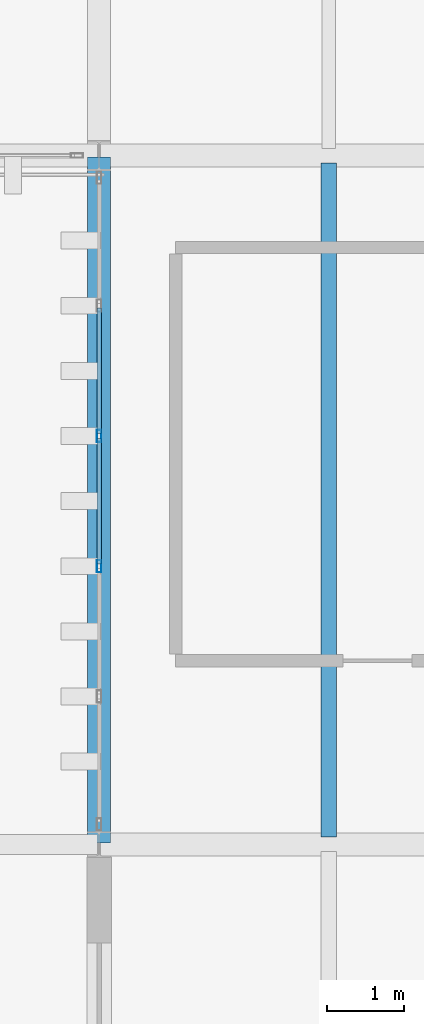
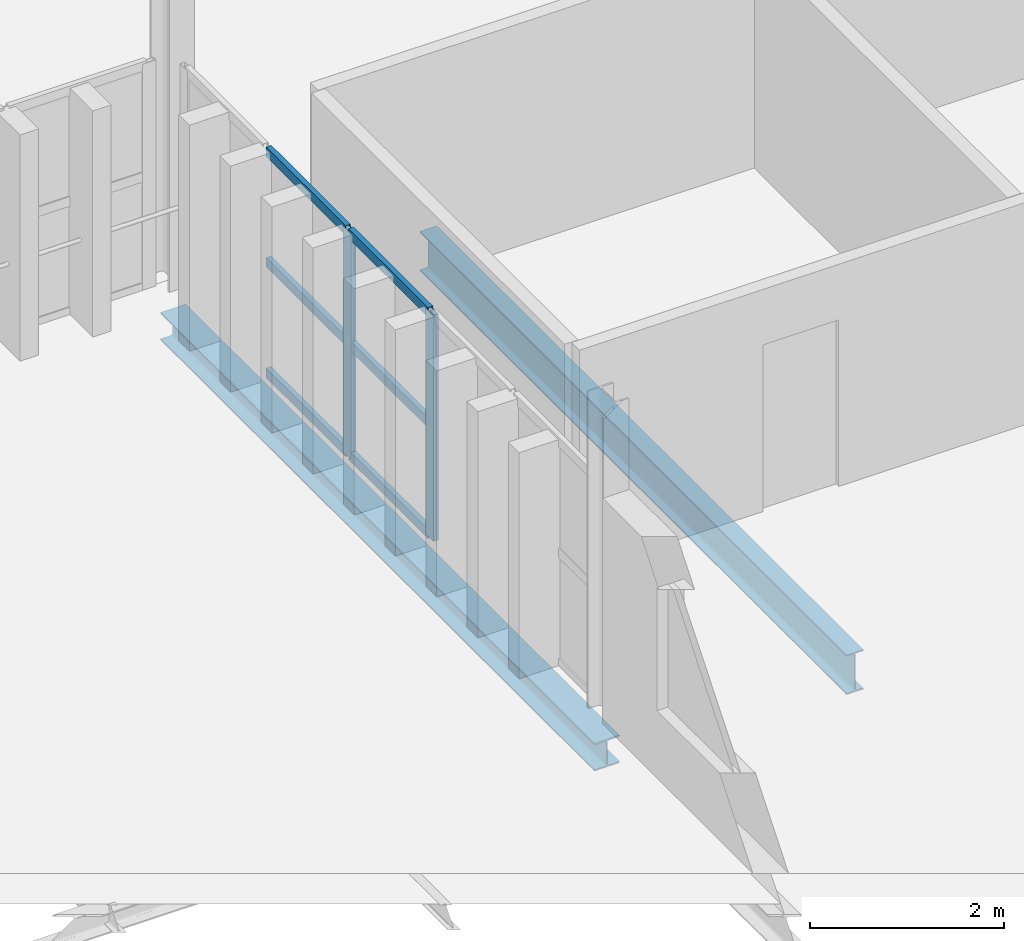
# One storey, part 40 of 102: 8 members, 2 beams, 1 element without a shape of its own.
"""IFC4 building model written with IfcOpenShell, lengths in metres."""

from ifc_helpers import new_model, si_unit, direction, frame, origin, origin_2d, place, context, subcontext, project, spatial, hollow_rectangle, i_section, extrude, material, layer, layer_set, material_profile, profile_set, type_object, element, aggregate, save


model = new_model("IFC4")

# Units and contexts
model_context = context("Model", 3, precision=1e-05, world=origin(), true_north=direction((0.0, 1.0)))
body_context = subcontext(model_context, "Body", "Model", "MODEL_VIEW")
ifc_project = project(units=[si_unit("LENGTHUNIT", "METRE"), si_unit("AREAUNIT", "SQUARE_METRE"), si_unit("VOLUMEUNIT", "CUBIC_METRE"), si_unit("PLANEANGLEUNIT", "RADIAN"), si_unit("MASSUNIT", "GRAM", prefix="KILO")], contexts=[model_context])

# Site, building, storey
site_placement = place(None, origin())
site = spatial("IfcSite", under=ifc_project, at=site_placement, CompositionType="ELEMENT")
building_placement = place(site_placement, origin())
building = spatial("IfcBuilding", under=site, at=building_placement, Name="Barlavento Convention Centre", CompositionType="ELEMENT")
storey_placement = place(building_placement, frame((0.0, 0.0, 22.800048828125)))
storey = spatial("IfcBuildingStorey", under=building, at=storey_placement, Name="L04", CompositionType="ELEMENT", Elevation=22.800048828125)

# Curtain wall, members
ifc_material_1 = material(Name="Powder-coated aluminium and Low-E glass", Category="aluminium")
ifc_layer = layer(ifc_material_1, 0.18505859375)
ifc_layer_set = layer_set([ifc_layer], Name="ARC-CW-CONF-L04")
curtain_wall_type = type_object("IfcCurtainWallType", Name="ARC-CW-CONF-L04", PredefinedType="NOTDEFINED", material=ifc_layer_set)
curtain_wall_placement = place(storey_placement, origin())
curtain_wall = element("IfcCurtainWall", 1, at=curtain_wall_placement, inside=storey, type_object=curtain_wall_type, Name="L04 unitised curtain wall CW09", PredefinedType="NOTDEFINED")
ifc_material_2 = material(Name="Powder-coated aluminium", Category="aluminium")
ifc_material_profile_1 = material_profile(ifc_material_2, hollow_rectangle(XDim=0.06005859375, YDim=0.159912109375, WallThickness=0.00390625, at=origin_2d()), Name="AL-MULL 60x160x4")
ifc_profile_set_1 = profile_set([ifc_material_profile_1], Name="Powder-coated aluminium")
member_type_1 = type_object("IfcMemberType", Name="ARC-CWM-60X160", PredefinedType="MULLION", material=ifc_profile_set_1)
member_1_placement = place(storey_placement, frame((153.0, 48.634033203125, 0.0), z_axis=(0.0, 0.0, 1.0), x_axis=(-1.0, 0.0, 0.0)))
member_1 = element("IfcMember", 2, at=member_1_placement, type_object=member_type_1, Name="CW09 mullion 3", PredefinedType="MULLION", context=body_context, shape_type="SweptSolid", body=[
    extrude(hollow_rectangle(XDim=0.06005859375, YDim=0.159912109375, WallThickness=0.00390625, at=origin_2d()), origin(), (0.0, 0.0, 1.0), 2.849853515625),
])
member_2_placement = place(storey_placement, frame((153.0, 50.3359375, 0.0), z_axis=(0.0, 0.0, 1.0), x_axis=(-1.0, 0.0, 0.0)))
member_2 = element("IfcMember", 3, at=member_2_placement, type_object=member_type_1, Name="CW09 mullion 4", PredefinedType="MULLION", context=body_context, shape_type="SweptSolid", body=[
    extrude(hollow_rectangle(XDim=0.06005859375, YDim=0.159912109375, WallThickness=0.00390625, at=origin_2d()), origin(), (0.0, 0.0, 1.0), 2.849853515625),
])
ifc_material_profile_2 = material_profile(ifc_material_2, hollow_rectangle(XDim=0.06005859375, YDim=0.1201171875, WallThickness=0.00390625, at=origin_2d()), Name="AL-TRAN 60x120x4")
ifc_profile_set_2 = profile_set([ifc_material_profile_2], Name="Powder-coated aluminium")
member_type_2 = type_object("IfcMemberType", Name="ARC-CWT-60X120", PredefinedType="USERDEFINED", material=ifc_profile_set_2)
member_3_placement = place(storey_placement, frame((153.0, 48.6640625, 0.030029296875), z_axis=(0.0, 1.0, 0.0), x_axis=(-1.0, 0.0, 0.0)))
member_3 = element("IfcMember", 4, at=member_3_placement, type_object=member_type_2, Name="CW09 transom 3.1", ObjectType="TRANSOM", PredefinedType="USERDEFINED", context=body_context, shape_type="SweptSolid", body=[
    extrude(hollow_rectangle(XDim=0.06005859375, YDim=0.1201171875, WallThickness=0.00390625, at=origin_2d()), origin(), (0.0, 0.0, 1.0), 1.641845703125),
])
member_4_placement = place(storey_placement, frame((153.0, 48.6640625, 1.425048828125), z_axis=(0.0, 1.0, 0.0), x_axis=(-1.0, 0.0, 0.0)))
member_4 = element("IfcMember", 5, at=member_4_placement, type_object=member_type_2, Name="CW09 transom 3.2", ObjectType="TRANSOM", PredefinedType="USERDEFINED", context=body_context, shape_type="SweptSolid", body=[
    extrude(hollow_rectangle(XDim=0.06005859375, YDim=0.1201171875, WallThickness=0.00390625, at=origin_2d()), origin(), (0.0, 0.0, 1.0), 1.641845703125),
])
member_5_placement = place(storey_placement, frame((153.0, 48.6640625, 2.820068359375), z_axis=(0.0, 1.0, 0.0), x_axis=(-1.0, 0.0, 0.0)))
member_5 = element("IfcMember", 6, at=member_5_placement, type_object=member_type_2, Name="CW09 transom 3.3", ObjectType="TRANSOM", PredefinedType="USERDEFINED", context=body_context, shape_type="SweptSolid", body=[
    extrude(hollow_rectangle(XDim=0.06005859375, YDim=0.1201171875, WallThickness=0.00390625, at=origin_2d()), origin(), (0.0, 0.0, 1.0), 1.641845703125),
])
member_6_placement = place(storey_placement, frame((153.0, 50.365966796875, 0.030029296875), z_axis=(0.0, 1.0, 0.0), x_axis=(-1.0, 0.0, 0.0)))
member_6 = element("IfcMember", 7, at=member_6_placement, type_object=member_type_2, Name="CW09 transom 4.1", ObjectType="TRANSOM", PredefinedType="USERDEFINED", context=body_context, shape_type="SweptSolid", body=[
    extrude(hollow_rectangle(XDim=0.06005859375, YDim=0.1201171875, WallThickness=0.00390625, at=origin_2d()), origin(), (0.0, 0.0, 1.0), 1.64208984375),
])
member_7_placement = place(storey_placement, frame((153.0, 50.365966796875, 1.425048828125), z_axis=(0.0, 1.0, 0.0), x_axis=(-1.0, 0.0, 0.0)))
member_7 = element("IfcMember", 8, at=member_7_placement, type_object=member_type_2, Name="CW09 transom 4.2", ObjectType="TRANSOM", PredefinedType="USERDEFINED", context=body_context, shape_type="SweptSolid", body=[
    extrude(hollow_rectangle(XDim=0.06005859375, YDim=0.1201171875, WallThickness=0.00390625, at=origin_2d()), origin(), (0.0, 0.0, 1.0), 1.64208984375),
])
member_8_placement = place(storey_placement, frame((153.0, 50.365966796875, 2.820068359375), z_axis=(0.0, 1.0, 0.0), x_axis=(-1.0, 0.0, 0.0)))
member_8 = element("IfcMember", 9, at=member_8_placement, type_object=member_type_2, Name="CW09 transom 4.3", ObjectType="TRANSOM", PredefinedType="USERDEFINED", context=body_context, shape_type="SweptSolid", body=[
    extrude(hollow_rectangle(XDim=0.06005859375, YDim=0.1201171875, WallThickness=0.00390625, at=origin_2d()), origin(), (0.0, 0.0, 1.0), 1.64208984375),
])
aggregate(curtain_wall, [member_1, member_2, member_3, member_4, member_5, member_6, member_7, member_8])

# Beams
ifc_material_3 = material(Name="Steel S355", Category="steel")
ifc_material_profile_3 = material_profile(ifc_material_3, i_section(OverallWidth=0.199951171875, OverallDepth=0.5, WebThickness=0.01025390625, FlangeThickness=0.01611328125, FilletRadius=0.02099609375, at=origin_2d()), Name="IPE 500")
ifc_profile_set_3 = profile_set([ifc_material_profile_3], Name="Steel S355")
beam_type_1 = type_object("IfcBeamType", Name="STR-BM-JST-IPE500", PredefinedType="JOIST", material=ifc_profile_set_3)
beam_1_placement = place(storey_placement, frame((156.0, 45.094970703125, -0.610107421875), z_axis=(0.0, 1.0, 0.0), x_axis=(-1.0, 0.0, 0.0)))
element("IfcBeam", 10, at=beam_1_placement, inside=storey, type_object=beam_type_1, Name="L04 composite floor joist SJ02", PredefinedType="JOIST", context=body_context, shape_type="SweptSolid", body=[
    extrude(i_section(OverallWidth=0.199951171875, OverallDepth=0.5, WebThickness=0.01025390625, FlangeThickness=0.01611328125, FilletRadius=0.02099609375, at=origin_2d()), origin(), (0.0, 0.0, 1.0), 8.81005859375),
])
ifc_material_profile_4 = material_profile(ifc_material_3, i_section(OverallWidth=0.300048828125, OverallDepth=0.35009765625, WebThickness=0.010009765625, FlangeThickness=0.017578125, FilletRadius=0.027099609375, at=origin_2d()), Name="HEA 360")
ifc_profile_set_4 = profile_set([ifc_material_profile_4], Name="Steel S355")
beam_type_2 = type_object("IfcBeamType", Name="STR-BM-PRI-HEA360", PredefinedType="BEAM", material=ifc_profile_set_4)
beam_2_placement = place(storey_placement, frame((153.0, 45.02001953125, -0.53515625), z_axis=(0.0, 1.0, 0.0), x_axis=(-1.0, 0.0, 0.0)))
element("IfcBeam", 11, at=beam_2_placement, inside=storey, type_object=beam_type_2, Name="L04 grid girder BG23", PredefinedType="BEAM", context=body_context, shape_type="SweptSolid", body=[
    extrude(i_section(OverallWidth=0.300048828125, OverallDepth=0.35009765625, WebThickness=0.010009765625, FlangeThickness=0.017578125, FilletRadius=0.027099609375, at=origin_2d()), origin(), (0.0, 0.0, 1.0), 8.9599609375),
])

save(model, "model.ifc")
